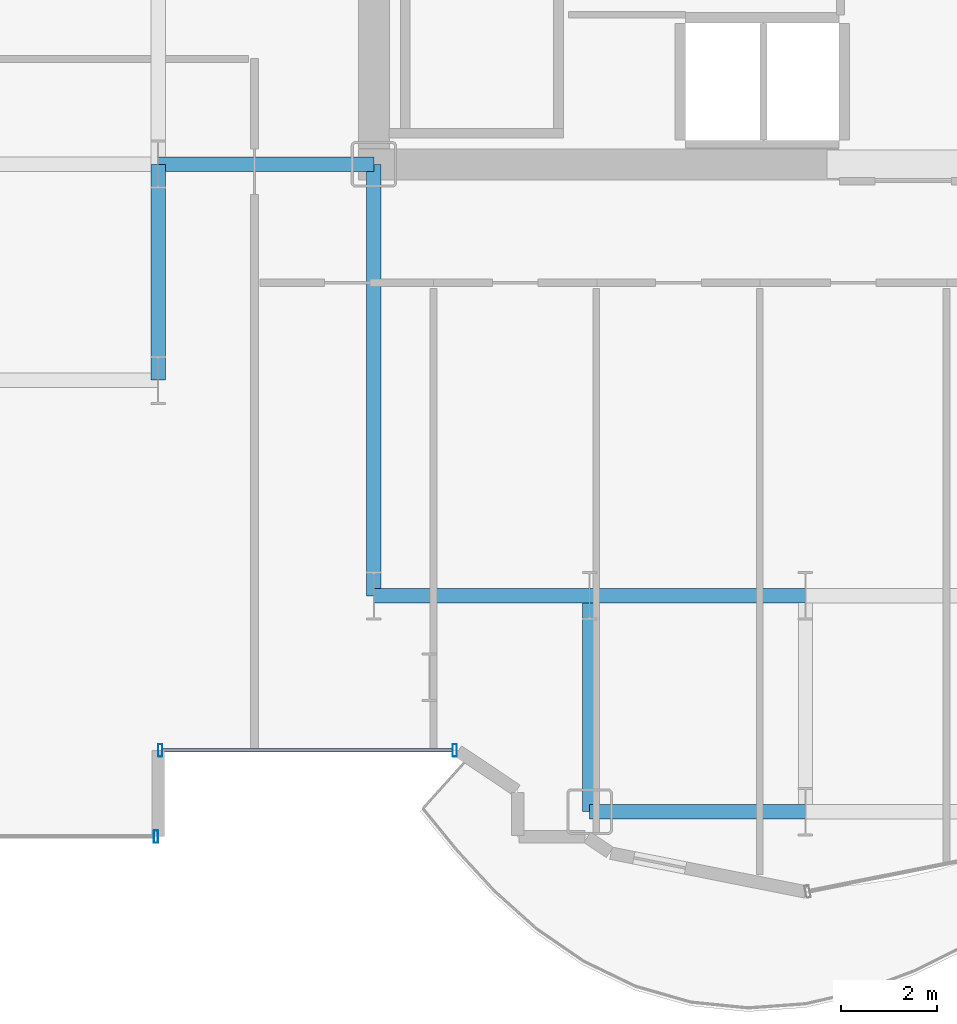
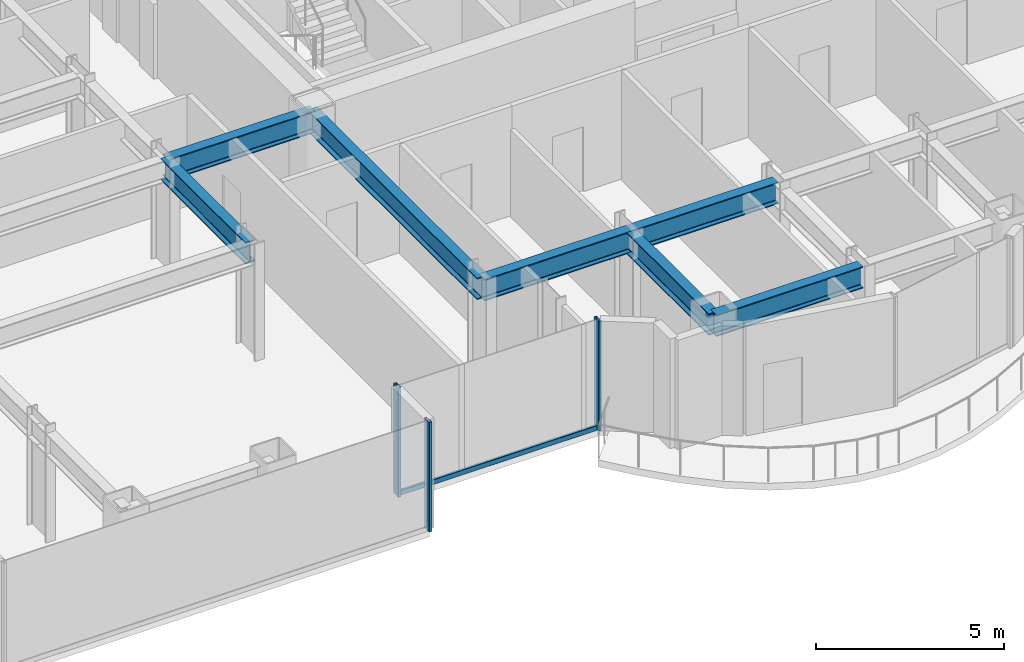
# One storey, part 4 of 29: 7 beams, 4 members, 2 elements without a shape of their own.
"""IFC4 building model written with IfcOpenShell, lengths in metres."""

from ifc_helpers import new_model, si_unit, direction, frame, origin, origin_2d, place, context, subcontext, project, spatial, hollow_rectangle, i_section, extrude, source, transform, mapped, material, layer, layer_set, material_profile, profile_set, type_object, element, aggregate, save


model = new_model("IFC4")

# Units and contexts
model_context = context("Model", 3, precision=1e-05, world=origin(), true_north=direction((0.0, 1.0)))
body_context = subcontext(model_context, "Body", "Model", "MODEL_VIEW")
ifc_project = project(units=[si_unit("LENGTHUNIT", "METRE"), si_unit("AREAUNIT", "SQUARE_METRE"), si_unit("VOLUMEUNIT", "CUBIC_METRE"), si_unit("PLANEANGLEUNIT", "RADIAN"), si_unit("MASSUNIT", "GRAM", prefix="KILO")], contexts=[model_context])

# Site, building, storey
site_placement = place(None, origin())
site = spatial("IfcSite", under=ifc_project, at=site_placement, CompositionType="ELEMENT")
building_placement = place(site_placement, origin())
building = spatial("IfcBuilding", under=site, at=building_placement, Name="Nefas-Gora Pilgrimage Tower", CompositionType="ELEMENT")
storey_placement = place(building_placement, frame((0.0, 0.0, 78.60009765625)))
storey = spatial("IfcBuildingStorey", under=building, at=storey_placement, Name="L18", CompositionType="ELEMENT", Elevation=78.60009765625)

# Beams
ifc_material_1 = material(Name="Steel S355", Category="steel")
ifc_material_profile_1 = material_profile(ifc_material_1, i_section(OverallWidth=0.300048828125, OverallDepth=0.699951171875, WebThickness=0.01708984375, FlangeThickness=0.031982421875, FilletRadius=0.027099609375, at=origin_2d()), Name="HEB 700")
ifc_profile_set_1 = profile_set([ifc_material_profile_1], Name="Steel S355")
beam_type = type_object("IfcBeamType", Name="BM-GIR-HEB700", PredefinedType="BEAM", material=ifc_profile_set_1)
shared_shape_1 = source(origin(), body_context, "Body", "SweptSolid", [
    extrude(i_section(OverallWidth=0.300048828125, OverallDepth=0.699951171875, WebThickness=0.01708984375, FlangeThickness=0.031982421875, FilletRadius=0.027099609375, at=origin_2d()), origin(), (0.0, 0.0, 1.0), 9.0),
])
beam_placement = place(storey_placement, frame((-11.25, -18.0, 3.199951171875), z_axis=(0.0, 1.0, 0.0), x_axis=(-1.0, 0.0, 0.0)))
element("IfcBeam", 1, at=beam_placement, inside=storey, type_object=beam_type, Name="L18 G-02 beam", PredefinedType="BEAM", context=body_context, shape_type="MappedRepresentation", body=[
    mapped(shared_shape_1, transform((0.0, 0.0, 0.0), x_axis=(1.0, 0.0, 0.0), y_axis=(0.0, 1.0, 0.0), z_axis=(0.0, 0.0, 1.0), scale=1.0)),
])
shared_shape_2 = source(origin(), body_context, "Body", "SweptSolid", [
    extrude(i_section(OverallWidth=0.300048828125, OverallDepth=0.699951171875, WebThickness=0.01708984375, FlangeThickness=0.031982421875, FilletRadius=0.027099609375, at=origin_2d()), origin(), (0.0, 0.0, 1.0), 4.5),
])
for number, where, z_axis, x_axis, name in (
    (2, (-15.75, -13.5, 3.199951171875), (0.0, 1.0, 0.0), (-1.0, 0.0, 0.0), "L18 G-02 beam"),
    (3, (-15.75, -9.0, 3.199951171875), (1.0, 0.0, 0.0), (0.0, 1.0, 0.0), "L18 G-02 beam"),
    (4, (-11.25, -18.0, 3.199951171875), (1.0, 0.0, 0.0), (0.0, 1.0, 0.0), "L18 G-02 beam"),
    (5, (-6.75, -22.5, 3.199951171875), (0.0, 1.0, 0.0), (-1.0, 0.0, 0.0), "L18 G-02 beam"),
    (6, (-6.75, -22.5, 3.199951171875), (1.0, 0.0, 0.0), (0.0, 1.0, 0.0), "L18 G-02 beam"),
    (7, (-6.75, -18.0, 3.199951171875), (1.0, 0.0, 0.0), (0.0, 1.0, 0.0), "L18 G-02 beam"),
):
    element("IfcBeam", number, at=place(storey_placement, frame(where, z_axis=z_axis, x_axis=x_axis)), inside=storey, type_object=beam_type, Name=name, PredefinedType="BEAM", context=body_context, shape_type="MappedRepresentation", body=[
        mapped(shared_shape_2, transform((0.0, 0.0, 0.0), x_axis=(1.0, 0.0, 0.0), y_axis=(0.0, 1.0, 0.0), z_axis=(0.0, 0.0, 1.0), scale=1.0)),
    ])

# Curtain wall, members
ifc_material_2 = material(Name="Dark ceramic-fritted solar-control aluminium-glass curtain wall", Category="aluminium")
ifc_layer_1 = layer(ifc_material_2, 0.219970703125)
ifc_layer_set_1 = layer_set([ifc_layer_1], Name="Dark ceramic-fritted solar-control aluminium-glass curtain wall")
curtain_wall_type_1 = type_object("IfcCurtainWallType", Name="CW-SYS-5", PredefinedType="NOTDEFINED", material=ifc_layer_set_1)
curtain_wall_1_placement = place(storey_placement, origin())
curtain_wall_1 = element("IfcCurtainWall", 8, at=curtain_wall_1_placement, inside=storey, type_object=curtain_wall_type_1, Name="L18 Unitised Curtain Wall CW5", PredefinedType="NOTDEFINED")
ifc_material_3 = material(Name="Anodised architectural aluminium", Category="aluminium")
ifc_material_profile_2 = material_profile(ifc_material_3, hollow_rectangle(XDim=0.080078125, YDim=0.159912109375, WallThickness=0.00439453125, InnerFilletRadius=0.00439453125, OuterFilletRadius=0.009033203125, at=origin_2d()), Name="ALU TRANSOM 80x160")
ifc_profile_set_2 = profile_set([ifc_material_profile_2], Name="Anodised architectural aluminium")
member_type_1 = type_object("IfcMemberType", Name="CWM-TRN-5", PredefinedType="USERDEFINED", material=ifc_profile_set_2)
shared_shape_3 = source(origin(), body_context, "Body", "SweptSolid", [
    extrude(hollow_rectangle(XDim=0.080078125, YDim=0.159912109375, WallThickness=0.00439453125, InnerFilletRadius=0.00439453125, OuterFilletRadius=0.009033203125, at=origin_2d()), origin(), (0.0, 0.0, 1.0), 6.052001953125),
])
member_1_placement = place(storey_placement, frame((-15.659912109375, -21.219970703125, 0.0498046875), z_axis=(1.0, 0.0, 0.0), x_axis=(0.0, 1.0, 0.0)))
member_1 = element("IfcMember", 9, at=member_1_placement, type_object=member_type_1, Name="CW5 Spandrel Transom", ObjectType="TRANSOM", PredefinedType="USERDEFINED", context=body_context, shape_type="MappedRepresentation", body=[
    mapped(shared_shape_3, transform((0.0, 0.0, 0.0), x_axis=(1.0, 0.0, 0.0), y_axis=(0.0, 1.0, 0.0), z_axis=(0.0, 0.0, 1.0), scale=1.0)),
])
ifc_material_profile_3 = material_profile(ifc_material_3, hollow_rectangle(XDim=0.090087890625, YDim=0.260009765625, WallThickness=0.006103515625, InnerFilletRadius=0.006103515625, OuterFilletRadius=0.011962890625, at=origin_2d()), Name="ALU MULLION 90x260")
ifc_profile_set_3 = profile_set([ifc_material_profile_3], Name="Anodised architectural aluminium")
member_type_2 = type_object("IfcMemberType", Name="CWM-MUL-5", PredefinedType="MULLION", material=ifc_profile_set_3)
shared_shape_4 = source(origin(), body_context, "Body", "SweptSolid", [
    extrude(hollow_rectangle(XDim=0.090087890625, YDim=0.260009765625, WallThickness=0.006103515625, InnerFilletRadius=0.006103515625, OuterFilletRadius=0.011962890625, at=origin_2d()), origin(), (0.0, 0.0, 1.0), 3.5498046875),
])
member_2_placement = place(storey_placement, frame((-15.705078125, -21.219970703125, 0.0), z_axis=(0.0, 0.0, 1.0), x_axis=(1.0, 0.0, 0.0)))
member_2 = element("IfcMember", 10, at=member_2_placement, type_object=member_type_2, Name="CW5 Mullion 1", PredefinedType="MULLION", context=body_context, shape_type="MappedRepresentation", body=[
    mapped(shared_shape_4, transform((0.0, 0.0, 0.0), x_axis=(1.0, 0.0, 0.0), y_axis=(0.0, 1.0, 0.0), z_axis=(0.0, 0.0, 1.0), scale=1.0)),
])
member_3_placement = place(storey_placement, frame((-9.56298828125, -21.219970703125, 0.0), z_axis=(0.0, 0.0, 1.0), x_axis=(1.0, 0.0, 0.0)))
member_3 = element("IfcMember", 11, at=member_3_placement, type_object=member_type_2, Name="CW5 Mullion 2", PredefinedType="MULLION", context=body_context, shape_type="MappedRepresentation", body=[
    mapped(shared_shape_4, transform((0.0, 0.0, 0.0), x_axis=(1.0, 0.0, 0.0), y_axis=(0.0, 1.0, 0.0), z_axis=(0.0, 0.0, 1.0), scale=1.0)),
])
aggregate(curtain_wall_1, [member_2, member_3, member_1])

# Curtain wall, member
ifc_layer_2 = layer(ifc_material_2, 0.219970703125)
ifc_layer_set_2 = layer_set([ifc_layer_2], Name="Dark ceramic-fritted solar-control aluminium-glass curtain wall")
curtain_wall_type_2 = type_object("IfcCurtainWallType", Name="CW-SYS-2", PredefinedType="NOTDEFINED", material=ifc_layer_set_2)
curtain_wall_2_placement = place(storey_placement, origin())
curtain_wall_2 = element("IfcCurtainWall", 12, at=curtain_wall_2_placement, inside=storey, type_object=curtain_wall_type_2, Name="L18 Unitised Curtain Wall CW2", PredefinedType="NOTDEFINED")
ifc_material_profile_4 = material_profile(ifc_material_3, hollow_rectangle(XDim=0.090087890625, YDim=0.260009765625, WallThickness=0.006103515625, InnerFilletRadius=0.006103515625, OuterFilletRadius=0.011962890625, at=origin_2d()), Name="ALU MULLION 90x260")
ifc_profile_set_4 = profile_set([ifc_material_profile_4], Name="Anodised architectural aluminium")
member_type_3 = type_object("IfcMemberType", Name="CWM-MUL-2", PredefinedType="MULLION", material=ifc_profile_set_4)
shared_shape_5 = source(origin(), body_context, "Body", "SweptSolid", [
    extrude(hollow_rectangle(XDim=0.090087890625, YDim=0.260009765625, WallThickness=0.006103515625, InnerFilletRadius=0.006103515625, OuterFilletRadius=0.011962890625, at=origin_2d()), origin(), (0.0, 0.0, 1.0), 3.5498046875),
])
member_4_placement = place(storey_placement, frame((-15.794921875, -23.02001953125, 0.0), z_axis=(0.0, 0.0, 1.0), x_axis=(1.0, 0.0, 0.0)))
member_4 = element("IfcMember", 13, at=member_4_placement, type_object=member_type_3, Name="CW2 Mullion 2", PredefinedType="MULLION", context=body_context, shape_type="MappedRepresentation", body=[
    mapped(shared_shape_5, transform((0.0, 0.0, 0.0), x_axis=(1.0, 0.0, 0.0), y_axis=(0.0, 1.0, 0.0), z_axis=(0.0, 0.0, 1.0), scale=1.0)),
])
aggregate(curtain_wall_2, [member_4])

save(model, "model.ifc")
